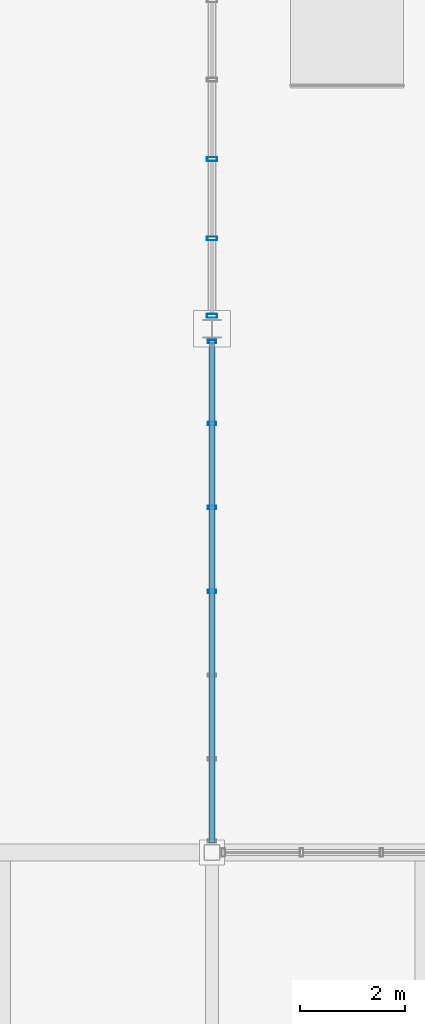
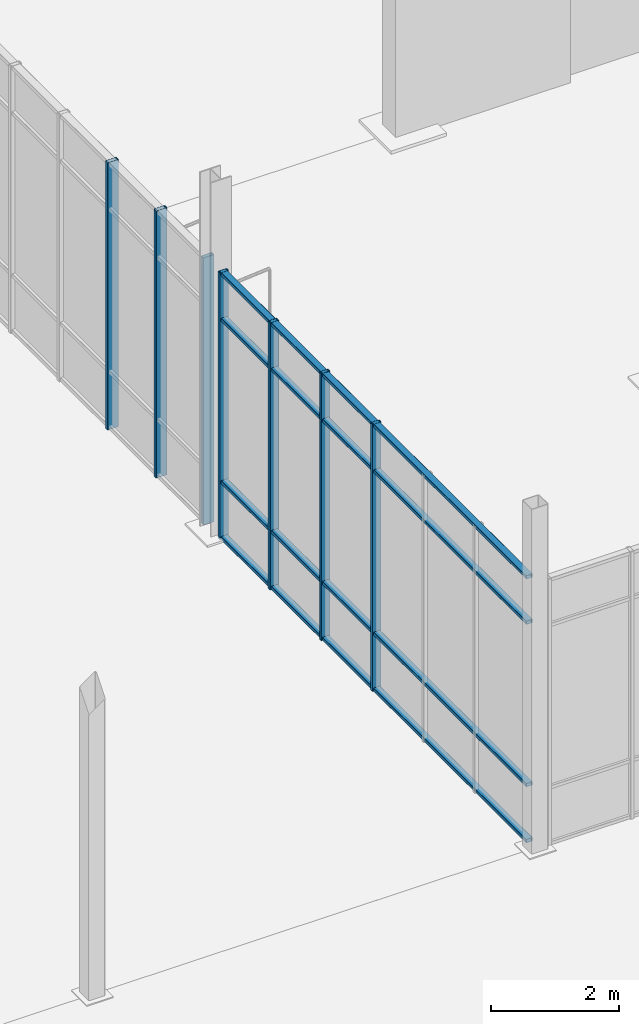
# One storey, part 59 of 140: 11 members, 2 elements without a shape of their own.
"""IFC4 building model written with IfcOpenShell, lengths in metres."""

from ifc_helpers import new_model, si_unit, direction, frame, origin, origin_2d, place, context, subcontext, project, spatial, hollow_rectangle, extrude, material, material_profile, profile_set, type_object, element, aggregate, save


model = new_model("IFC4")

# Units and contexts
model_context = context("Model", 3, precision=1e-05, world=origin(), true_north=direction((0.0, 1.0)))
body_context = subcontext(model_context, "Body", "Model", "MODEL_VIEW")
ifc_project = project(units=[si_unit("LENGTHUNIT", "METRE"), si_unit("AREAUNIT", "SQUARE_METRE"), si_unit("VOLUMEUNIT", "CUBIC_METRE"), si_unit("PLANEANGLEUNIT", "RADIAN"), si_unit("MASSUNIT", "GRAM", prefix="KILO")], contexts=[model_context])

# Site, building, storey
site_placement = place(None, origin())
site = spatial("IfcSite", under=ifc_project, at=site_placement, CompositionType="ELEMENT")
building_placement = place(site_placement, origin())
building = spatial("IfcBuilding", under=site, at=building_placement, Name="Verrall Gate Interchange", CompositionType="ELEMENT")
storey_placement = place(building_placement, origin())
storey = spatial("IfcBuildingStorey", under=building, at=storey_placement, Name="L01", CompositionType="ELEMENT", Elevation=0.0)

# Curtain wall, members
ifc_material_1 = material(Name="Thermally Broken Anodized Aluminium Curtain Wall Framing", Category="aluminium")
curtain_wall_type_1 = type_object("IfcCurtainWallType", Name="CW-07 Unitized Curtain Wall 9606x5100", PredefinedType="NOTDEFINED", material=ifc_material_1)
curtain_wall_1_placement = place(storey_placement, origin())
curtain_wall_1 = element("IfcCurtainWall", 1, at=curtain_wall_1_placement, inside=storey, type_object=curtain_wall_type_1, Name="L01 Unitized Curtain Wall CW-L01-024", PredefinedType="NOTDEFINED")
ifc_material_2 = material(Name="Thermally Broken Anodized Aluminium Curtain Wall Framing", Category="aluminium")
ifc_material_profile_1 = material_profile(ifc_material_2, hollow_rectangle(XDim=0.06494140625, YDim=0.159912109375, WallThickness=0.00390625, InnerFilletRadius=0.00390625, OuterFilletRadius=0.008056640625, at=origin_2d()), Name="CWM160x65x4")
ifc_profile_set_1 = profile_set([ifc_material_profile_1], Name="Thermally Broken Anodized Aluminium Curtain Wall Framing")
member_type_1 = type_object("IfcMemberType", Name="CM-01 Curtain Mullion CWM160x65x4", PredefinedType="MULLION", material=ifc_profile_set_1)
member_1_placement = place(storey_placement, frame((60.0, 65.757568359375, 0.0), z_axis=(0.0, 0.0, 1.0), x_axis=(0.0, -1.0, 0.0)))
member_1 = element("IfcMember", 2, at=member_1_placement, type_object=member_type_1, Name="CW-L01-024 Mullion 1", PredefinedType="MULLION", context=body_context, shape_type="SweptSolid", body=[
    extrude(hollow_rectangle(XDim=0.06494140625, YDim=0.159912109375, WallThickness=0.00390625, InnerFilletRadius=0.00390625, OuterFilletRadius=0.008056640625, at=origin_2d()), origin(), (0.0, 0.0, 1.0), 5.10009765625),
])
member_2_placement = place(storey_placement, frame((60.0, 64.189208984375, 0.0), z_axis=(0.0, 0.0, 1.0), x_axis=(0.0, -1.0, 0.0)))
member_2 = element("IfcMember", 3, at=member_2_placement, type_object=member_type_1, Name="CW-L01-024 Mullion 2", PredefinedType="MULLION", context=body_context, shape_type="SweptSolid", body=[
    extrude(hollow_rectangle(XDim=0.06494140625, YDim=0.159912109375, WallThickness=0.00390625, InnerFilletRadius=0.00390625, OuterFilletRadius=0.008056640625, at=origin_2d()), origin(), (0.0, 0.0, 1.0), 5.10009765625),
])
member_3_placement = place(storey_placement, frame((60.0, 62.588134765625, 0.0), z_axis=(0.0, 0.0, 1.0), x_axis=(0.0, -1.0, 0.0)))
member_3 = element("IfcMember", 4, at=member_3_placement, type_object=member_type_1, Name="CW-L01-024 Mullion 3", PredefinedType="MULLION", context=body_context, shape_type="SweptSolid", body=[
    extrude(hollow_rectangle(XDim=0.06494140625, YDim=0.159912109375, WallThickness=0.00390625, InnerFilletRadius=0.00390625, OuterFilletRadius=0.008056640625, at=origin_2d()), origin(), (0.0, 0.0, 1.0), 5.10009765625),
])
member_4_placement = place(storey_placement, frame((60.0, 60.9873046875, 0.0), z_axis=(0.0, 0.0, 1.0), x_axis=(0.0, -1.0, 0.0)))
member_4 = element("IfcMember", 5, at=member_4_placement, type_object=member_type_1, Name="CW-L01-024 Mullion 4", PredefinedType="MULLION", context=body_context, shape_type="SweptSolid", body=[
    extrude(hollow_rectangle(XDim=0.06494140625, YDim=0.159912109375, WallThickness=0.00390625, InnerFilletRadius=0.00390625, OuterFilletRadius=0.008056640625, at=origin_2d()), origin(), (0.0, 0.0, 1.0), 5.10009765625),
])

ifc_material_3 = material(Name="Thermally Broken Anodized Aluminium Curtain Wall Framing", Category="aluminium")
curtain_wall_type_2 = type_object("IfcCurtainWallType", Name="CW-06 Unitized Curtain Wall 7631x5100", PredefinedType="NOTDEFINED", material=ifc_material_3)
curtain_wall_2_placement = place(storey_placement, origin())
curtain_wall_2 = element("IfcCurtainWall", 6, at=curtain_wall_2_placement, inside=storey, type_object=curtain_wall_type_2, Name="L01 Unitized Curtain Wall CW-L01-023", PredefinedType="NOTDEFINED")
ifc_material_4 = material(Name="Thermally Broken Anodized Aluminium Curtain Wall Framing", Category="aluminium")
ifc_material_profile_2 = material_profile(ifc_material_4, hollow_rectangle(XDim=0.074951171875, YDim=0.199951171875, WallThickness=0.0048828125, InnerFilletRadius=0.0048828125, OuterFilletRadius=0.010009765625, at=origin_2d()), Name="CWM200x75x5")
ifc_profile_set_2 = profile_set([ifc_material_profile_2], Name="Thermally Broken Anodized Aluminium Curtain Wall Framing")
member_type_2 = type_object("IfcMemberType", Name="CM-02 Curtain Mullion CWM200x75x5", PredefinedType="MULLION", material=ifc_profile_set_2)
member_5_placement = place(storey_placement, frame((60.0, 69.241943359375, 0.0), z_axis=(0.0, 0.0, 1.0), x_axis=(0.0, -1.0, 0.0)))
member_5 = element("IfcMember", 7, at=member_5_placement, type_object=member_type_2, Name="CW-L01-023 Mullion 4", PredefinedType="MULLION", context=body_context, shape_type="SweptSolid", body=[
    extrude(hollow_rectangle(XDim=0.074951171875, YDim=0.199951171875, WallThickness=0.0048828125, InnerFilletRadius=0.0048828125, OuterFilletRadius=0.010009765625, at=origin_2d()), origin(), (0.0, 0.0, 1.0), 5.10009765625),
])
member_6_placement = place(storey_placement, frame((60.0, 67.72607421875, 0.0), z_axis=(0.0, 0.0, 1.0), x_axis=(0.0, -1.0, 0.0)))
member_6 = element("IfcMember", 8, at=member_6_placement, type_object=member_type_2, Name="CW-L01-023 Mullion 5", PredefinedType="MULLION", context=body_context, shape_type="SweptSolid", body=[
    extrude(hollow_rectangle(XDim=0.074951171875, YDim=0.199951171875, WallThickness=0.0048828125, InnerFilletRadius=0.0048828125, OuterFilletRadius=0.010009765625, at=origin_2d()), origin(), (0.0, 0.0, 1.0), 5.10009765625),
])
member_7_placement = place(storey_placement, frame((60.0, 66.24755859375, 0.0), z_axis=(0.0, 0.0, 1.0), x_axis=(0.0, -1.0, 0.0)))
member_7 = element("IfcMember", 9, at=member_7_placement, type_object=member_type_2, Name="CW-L01-023 Mullion 6", PredefinedType="MULLION", context=body_context, shape_type="SweptSolid", body=[
    extrude(hollow_rectangle(XDim=0.074951171875, YDim=0.199951171875, WallThickness=0.0048828125, InnerFilletRadius=0.0048828125, OuterFilletRadius=0.010009765625, at=origin_2d()), origin(), (0.0, 0.0, 1.0), 5.10009765625),
])
aggregate(curtain_wall_2, [member_5, member_6, member_7])

# Member
ifc_material_5 = material(Name="Thermally Broken Anodized Aluminium Curtain Wall Framing", Category="aluminium")
ifc_material_profile_3 = material_profile(ifc_material_5, hollow_rectangle(XDim=0.1201171875, YDim=0.06494140625, WallThickness=0.00390625, InnerFilletRadius=0.00390625, OuterFilletRadius=0.008056640625, at=origin_2d()), Name="CWT120x65x4")
ifc_profile_set_3 = profile_set([ifc_material_profile_3], Name="Thermally Broken Anodized Aluminium Curtain Wall Framing")
member_type_3 = type_object("IfcMemberType", Name="CT-01 Curtain Transom CWT120x65x4", PredefinedType="USERDEFINED", material=ifc_profile_set_3)
member_8_placement = place(storey_placement, frame((60.0, 65.7900390625, 0.032470703125), z_axis=(0.0, -1.0, 0.0), x_axis=(1.0, 0.0, 0.0)))
member_8 = element("IfcMember", 10, at=member_8_placement, type_object=member_type_3, Name="CW-L01-024 Transom 1", ObjectType="TRANSOM", PredefinedType="USERDEFINED", context=body_context, shape_type="SweptSolid", body=[
    extrude(hollow_rectangle(XDim=0.1201171875, YDim=0.06494140625, WallThickness=0.00390625, InnerFilletRadius=0.00390625, OuterFilletRadius=0.008056640625, at=origin_2d()), origin(), (0.0, 0.0, 1.0), 9.60546875),
])

member_9_placement = place(storey_placement, frame((60.0, 65.7900390625, 1.10009765625), z_axis=(0.0, -1.0, 0.0), x_axis=(1.0, 0.0, 0.0)))
member_9 = element("IfcMember", 11, at=member_9_placement, type_object=member_type_3, Name="CW-L01-024 Transom 2", ObjectType="TRANSOM", PredefinedType="USERDEFINED", context=body_context, shape_type="SweptSolid", body=[
    extrude(hollow_rectangle(XDim=0.1201171875, YDim=0.06494140625, WallThickness=0.00390625, InnerFilletRadius=0.00390625, OuterFilletRadius=0.008056640625, at=origin_2d()), origin(), (0.0, 0.0, 1.0), 9.60546875),
])

member_10_placement = place(storey_placement, frame((60.0, 65.7900390625, 4.199951171875), z_axis=(0.0, -1.0, 0.0), x_axis=(1.0, 0.0, 0.0)))
member_10 = element("IfcMember", 12, at=member_10_placement, type_object=member_type_3, Name="CW-L01-024 Transom 3", ObjectType="TRANSOM", PredefinedType="USERDEFINED", context=body_context, shape_type="SweptSolid", body=[
    extrude(hollow_rectangle(XDim=0.1201171875, YDim=0.06494140625, WallThickness=0.00390625, InnerFilletRadius=0.00390625, OuterFilletRadius=0.008056640625, at=origin_2d()), origin(), (0.0, 0.0, 1.0), 9.60546875),
])

member_11_placement = place(storey_placement, frame((60.0, 65.7900390625, 5.0673828125), z_axis=(0.0, -1.0, 0.0), x_axis=(1.0, 0.0, 0.0)))
member_11 = element("IfcMember", 13, at=member_11_placement, type_object=member_type_3, Name="CW-L01-024 Transom 4", ObjectType="TRANSOM", PredefinedType="USERDEFINED", context=body_context, shape_type="SweptSolid", body=[
    extrude(hollow_rectangle(XDim=0.1201171875, YDim=0.06494140625, WallThickness=0.00390625, InnerFilletRadius=0.00390625, OuterFilletRadius=0.008056640625, at=origin_2d()), origin(), (0.0, 0.0, 1.0), 9.60546875),
])

aggregate(curtain_wall_1, [member_1, member_2, member_3, member_4, member_8, member_9, member_10, member_11])

save(model, "model.ifc")
